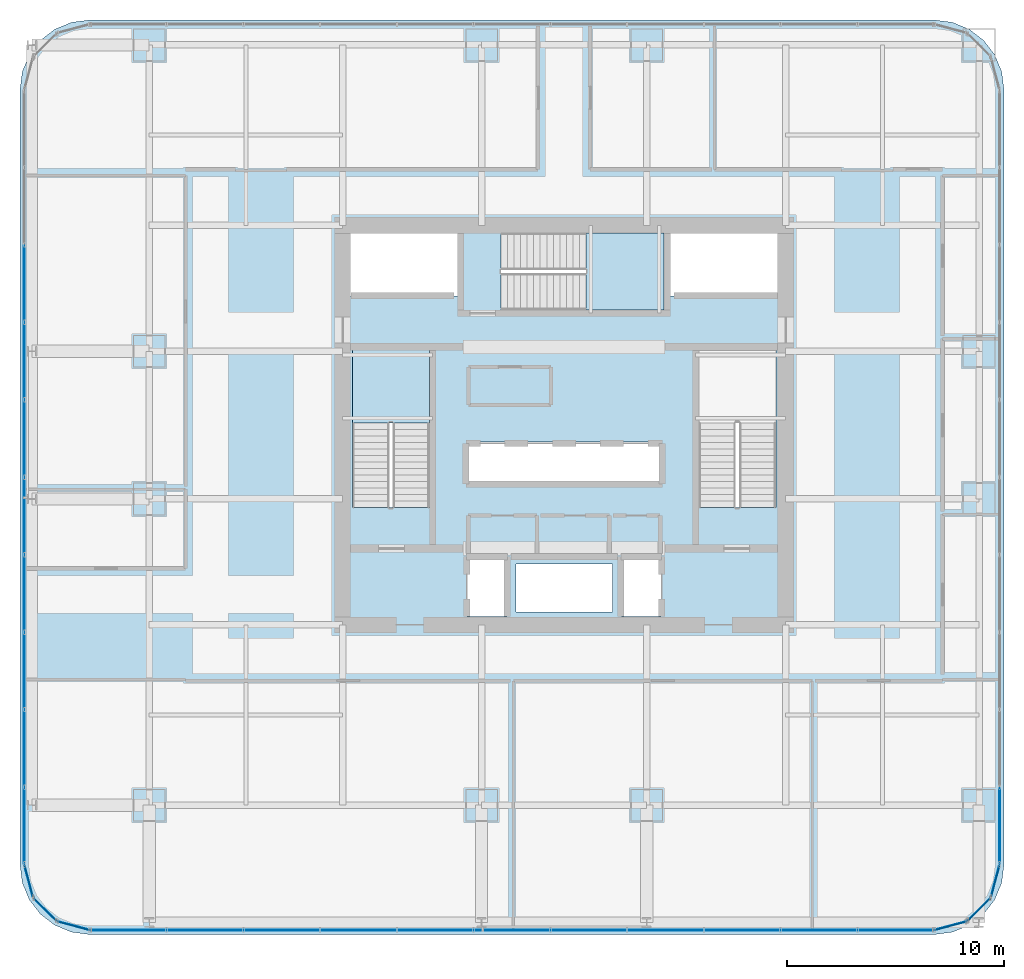
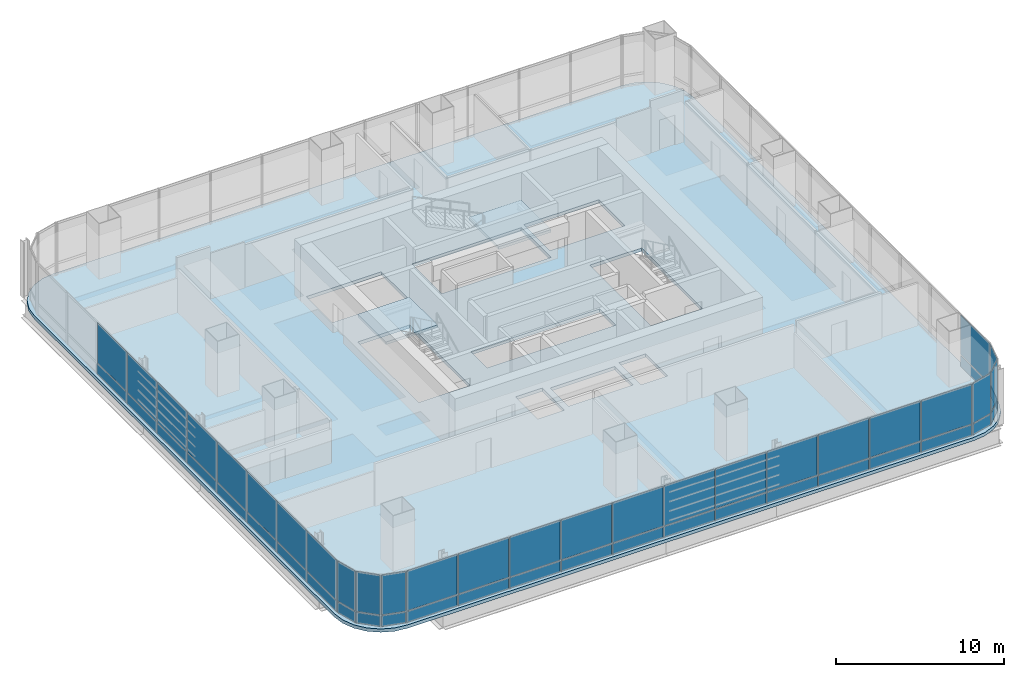
# One storey, part 26 of 36: 52 plates, 3 slabs, 11 elements without a shape of their own.
"""IFC4 building model written with IfcOpenShell, lengths in metres."""

from ifc_helpers import new_model, si_unit, direction, frame, origin, origin_2d, place, context, subcontext, project, spatial, polyline, rectangle, outline, extrude, material, layer, layer_set, type_object, element, aggregate, save


model = new_model("IFC4")

# Units and contexts
model_context = context("Model", 3, precision=1e-05, world=origin(), true_north=direction((0.0, 1.0)))
body_context = subcontext(model_context, "Body", "Model", "MODEL_VIEW")
ifc_project = project(units=[si_unit("LENGTHUNIT", "METRE"), si_unit("AREAUNIT", "SQUARE_METRE"), si_unit("VOLUMEUNIT", "CUBIC_METRE"), si_unit("PLANEANGLEUNIT", "RADIAN"), si_unit("MASSUNIT", "GRAM", prefix="KILO")], contexts=[model_context])

# Site, building, storey
site_placement = place(None, origin())
site = spatial("IfcSite", under=ifc_project, at=site_placement, CompositionType="ELEMENT")
building_placement = place(site_placement, origin())
building = spatial("IfcBuilding", under=site, at=building_placement, Name="Punatoya Terracotta Tower", CompositionType="ELEMENT")
storey_placement = place(building_placement, frame((0.0, 0.0, 32.25)))
storey = spatial("IfcBuildingStorey", under=building, at=storey_placement, Name="L06", CompositionType="ELEMENT", Elevation=32.25)

# Curtain wall, plates
ifc_material_1 = material(Name="Aluminium 6063-T6 + Double Low-E Glass", Category="aluminium")
curtain_wall_type = type_object("IfcCurtainWallType", Name="CW-M1", PredefinedType="NOTDEFINED", material=ifc_material_1)
curtain_wall_1_placement = place(storey_placement, origin())
curtain_wall_1 = element("IfcCurtainWall", 1, at=curtain_wall_1_placement, inside=storey, type_object=curtain_wall_type, Name="L06 Curtain Wall CW-L06-S01-1", PredefinedType="NOTDEFINED")
ifc_material_2 = material(Name="Double Low-E Clear Vision Glass", Category="glass")
ifc_layer_1 = layer(ifc_material_2, 0.028076171875)
ifc_layer_set_1 = layer_set([ifc_layer_1], Name="Double Low-E Clear Vision Glass")
plate_type_1 = type_object("IfcPlateType", Name="PLT-GLZ-28", PredefinedType="CURTAIN_PANEL", material=ifc_layer_set_1)
plate_1_placement = place(storey_placement, frame((-20.06982421875, -23.25, 0.89013671875), z_axis=(0.0, 0.0, 1.0), x_axis=(1.0, 0.0, 0.0)))
plate_1 = element("IfcPlate", 2, at=plate_1_placement, type_object=plate_type_1, Name="CW-L06-S01-1 Vision Glass Panel 1", PredefinedType="CURTAIN_PANEL", context=body_context, shape_type="SweptSolid", body=[
    extrude(rectangle(XDim=3.448974609375, YDim=0.028076171875, at=origin_2d()), origin(), (0.0, 0.0, 1.0), 2.8798828125),
])
plate_2_placement = place(storey_placement, frame((-16.535888671875, -23.25, 0.89013671875), z_axis=(0.0, 0.0, 1.0), x_axis=(1.0, 0.0, 0.0)))
plate_2 = element("IfcPlate", 3, at=plate_2_placement, type_object=plate_type_1, Name="CW-L06-S01-1 Vision Glass Panel 2", PredefinedType="CURTAIN_PANEL", context=body_context, shape_type="SweptSolid", body=[
    extrude(rectangle(XDim=3.448974609375, YDim=0.028076171875, at=origin_2d()), origin(), (0.0, 0.0, 1.0), 2.8798828125),
])
plate_3_placement = place(storey_placement, frame((-13.001953125, -23.25, 0.89013671875), z_axis=(0.0, 0.0, 1.0), x_axis=(1.0, 0.0, 0.0)))
plate_3 = element("IfcPlate", 4, at=plate_3_placement, type_object=plate_type_1, Name="CW-L06-S01-1 Vision Glass Panel 3", PredefinedType="CURTAIN_PANEL", context=body_context, shape_type="SweptSolid", body=[
    extrude(rectangle(XDim=3.448974609375, YDim=0.028076171875, at=origin_2d()), origin(), (0.0, 0.0, 1.0), 2.8798828125),
])
plate_4_placement = place(storey_placement, frame((-9.468017578125, -23.25, 0.89013671875), z_axis=(0.0, 0.0, 1.0), x_axis=(1.0, 0.0, 0.0)))
plate_4 = element("IfcPlate", 5, at=plate_4_placement, type_object=plate_type_1, Name="CW-L06-S01-1 Vision Glass Panel 4", PredefinedType="CURTAIN_PANEL", context=body_context, shape_type="SweptSolid", body=[
    extrude(rectangle(XDim=3.448974609375, YDim=0.028076171875, at=origin_2d()), origin(), (0.0, 0.0, 1.0), 2.8798828125),
])
plate_5_placement = place(storey_placement, frame((-5.93408203125, -23.25, 0.89013671875), z_axis=(0.0, 0.0, 1.0), x_axis=(1.0, 0.0, 0.0)))
plate_5 = element("IfcPlate", 6, at=plate_5_placement, type_object=plate_type_1, Name="CW-L06-S01-1 Vision Glass Panel 5", PredefinedType="CURTAIN_PANEL", context=body_context, shape_type="SweptSolid", body=[
    extrude(rectangle(XDim=3.448974609375, YDim=0.028076171875, at=origin_2d()), origin(), (0.0, 0.0, 1.0), 2.8798828125),
])
plate_6_placement = place(storey_placement, frame((-2.39990234375, -23.25, 0.89013671875), z_axis=(0.0, 0.0, 1.0), x_axis=(1.0, 0.0, 0.0)))
plate_6 = element("IfcPlate", 7, at=plate_6_placement, type_object=plate_type_1, Name="CW-L06-S01-1 Vision Glass Panel 6", PredefinedType="CURTAIN_PANEL", context=body_context, shape_type="SweptSolid", body=[
    extrude(rectangle(XDim=3.448974609375, YDim=0.028076171875, at=origin_2d()), origin(), (0.0, 0.0, 1.0), 2.8798828125),
])
plate_7_placement = place(storey_placement, frame((1.134033203125, -23.25, 0.89013671875), z_axis=(0.0, 0.0, 1.0), x_axis=(1.0, 0.0, 0.0)))
plate_7 = element("IfcPlate", 8, at=plate_7_placement, type_object=plate_type_1, Name="CW-L06-S01-1 Vision Glass Panel 7", PredefinedType="CURTAIN_PANEL", context=body_context, shape_type="SweptSolid", body=[
    extrude(rectangle(XDim=3.448974609375, YDim=0.028076171875, at=origin_2d()), origin(), (0.0, 0.0, 1.0), 2.8798828125),
])
plate_8_placement = place(storey_placement, frame((4.66796875, -23.25, 0.89013671875), z_axis=(0.0, 0.0, 1.0), x_axis=(1.0, 0.0, 0.0)))
plate_8 = element("IfcPlate", 9, at=plate_8_placement, type_object=plate_type_1, Name="CW-L06-S01-1 Vision Glass Panel 8", PredefinedType="CURTAIN_PANEL", context=body_context, shape_type="SweptSolid", body=[
    extrude(rectangle(XDim=3.448974609375, YDim=0.028076171875, at=origin_2d()), origin(), (0.0, 0.0, 1.0), 2.8798828125),
])
plate_9_placement = place(storey_placement, frame((8.201904296875, -23.25, 0.89013671875), z_axis=(0.0, 0.0, 1.0), x_axis=(1.0, 0.0, 0.0)))
plate_9 = element("IfcPlate", 10, at=plate_9_placement, type_object=plate_type_1, Name="CW-L06-S01-1 Vision Glass Panel 9", PredefinedType="CURTAIN_PANEL", context=body_context, shape_type="SweptSolid", body=[
    extrude(rectangle(XDim=3.448974609375, YDim=0.028076171875, at=origin_2d()), origin(), (0.0, 0.0, 1.0), 2.8798828125),
])
plate_10_placement = place(storey_placement, frame((11.73583984375, -23.25, 0.89013671875), z_axis=(0.0, 0.0, 1.0), x_axis=(1.0, 0.0, 0.0)))
plate_10 = element("IfcPlate", 11, at=plate_10_placement, type_object=plate_type_1, Name="CW-L06-S01-1 Vision Glass Panel 10", PredefinedType="CURTAIN_PANEL", context=body_context, shape_type="SweptSolid", body=[
    extrude(rectangle(XDim=3.448974609375, YDim=0.028076171875, at=origin_2d()), origin(), (0.0, 0.0, 1.0), 2.8798828125),
])
plate_11_placement = place(storey_placement, frame((15.27001953125, -23.25, 0.89013671875), z_axis=(0.0, 0.0, 1.0), x_axis=(1.0, 0.0, 0.0)))
plate_11 = element("IfcPlate", 12, at=plate_11_placement, type_object=plate_type_1, Name="CW-L06-S01-1 Vision Glass Panel 11", PredefinedType="CURTAIN_PANEL", context=body_context, shape_type="SweptSolid", body=[
    extrude(rectangle(XDim=3.448974609375, YDim=0.028076171875, at=origin_2d()), origin(), (0.0, 0.0, 1.0), 2.8798828125),
])

# Curtain wall, plate
curtain_wall_2_placement = place(storey_placement, origin())
curtain_wall_2 = element("IfcCurtainWall", 13, at=curtain_wall_2_placement, inside=storey, type_object=curtain_wall_type, Name="L06 Curtain Wall CW-L06-CRN02", PredefinedType="NOTDEFINED")
plate_12_placement = place(storey_placement, frame((17.79296875, -23.04833984375, 0.89013671875), z_axis=(0.0, 0.0, 1.0), x_axis=(0.966213877436, 0.257741620719, 0.0)))
plate_12 = element("IfcPlate", 14, at=plate_12_placement, type_object=plate_type_1, Name="CW-L06-CRN02 Vision Glass Panel 1", PredefinedType="CURTAIN_PANEL", context=body_context, shape_type="SweptSolid", body=[
    extrude(rectangle(XDim=1.47998046875, YDim=0.028076171875, at=origin_2d()), origin(), (0.0, 0.0, 1.0), 2.8798828125),
])

curtain_wall_3_placement = place(storey_placement, origin())
curtain_wall_3 = element("IfcCurtainWall", 15, at=curtain_wall_3_placement, inside=storey, type_object=curtain_wall_type, Name="L06 Curtain Wall CW-L06-CRN03", PredefinedType="NOTDEFINED")
plate_13_placement = place(storey_placement, frame((19.097900390625, -22.2978515625, 0.89013671875), z_axis=(0.0, 0.0, 1.0), x_axis=(0.707106781187, 0.707106781187, 0.0)))
plate_13 = element("IfcPlate", 16, at=plate_13_placement, type_object=plate_type_1, Name="CW-L06-CRN03 Vision Glass Panel 1", PredefinedType="CURTAIN_PANEL", context=body_context, shape_type="SweptSolid", body=[
    extrude(rectangle(XDim=1.467041015625, YDim=0.028076171875, at=origin_2d()), origin(), (0.0, 0.0, 1.0), 2.8798828125),
])

curtain_wall_4_placement = place(storey_placement, origin())
curtain_wall_4 = element("IfcCurtainWall", 17, at=curtain_wall_4_placement, inside=storey, type_object=curtain_wall_type, Name="L06 Curtain Wall CW-L06-CRN04", PredefinedType="NOTDEFINED")
plate_14_placement = place(storey_placement, frame((19.848388671875, -20.992919921875, 0.89013671875), z_axis=(0.0, 0.0, 1.0), x_axis=(0.257741620719, 0.966213877436, 0.0)))
plate_14 = element("IfcPlate", 18, at=plate_14_placement, type_object=plate_type_1, Name="CW-L06-CRN04 Vision Glass Panel 1", PredefinedType="CURTAIN_PANEL", context=body_context, shape_type="SweptSolid", body=[
    extrude(rectangle(XDim=1.47998046875, YDim=0.028076171875, at=origin_2d()), origin(), (0.0, 0.0, 1.0), 2.8798828125),
])

curtain_wall_5_placement = place(storey_placement, origin())
curtain_wall_5 = element("IfcCurtainWall", 19, at=curtain_wall_5_placement, inside=storey, type_object=curtain_wall_type, Name="L06 Curtain Wall CW-L06-E05-1", PredefinedType="NOTDEFINED")
plate_15_placement = place(storey_placement, frame((20.050048828125, -18.453125, 0.89013671875), z_axis=(0.0, 0.0, 1.0), x_axis=(0.0, 1.0, 0.0)))
plate_15 = element("IfcPlate", 20, at=plate_15_placement, type_object=plate_type_1, Name="CW-L06-E05-1 Vision Glass Panel 1", PredefinedType="CURTAIN_PANEL", context=body_context, shape_type="SweptSolid", body=[
    extrude(rectangle(XDim=3.482421875, YDim=0.028076171875, at=origin_2d()), origin(), (0.0, 0.0, 1.0), 2.8798828125),
])

# Curtain wall, plates
curtain_wall_6_placement = place(storey_placement, origin())
curtain_wall_6 = element("IfcCurtainWall", 21, at=curtain_wall_6_placement, inside=storey, type_object=curtain_wall_type, Name="L06 Curtain Wall CW-L06-W13-1", PredefinedType="NOTDEFINED")
plate_16_placement = place(storey_placement, frame((-24.85009765625, 6.518310546875, 0.89013671875), z_axis=(0.0, 0.0, 1.0), x_axis=(0.0, -1.0, 0.0)))
plate_16 = element("IfcPlate", 22, at=plate_16_placement, type_object=plate_type_1, Name="CW-L06-W13-1 Vision Glass Panel 3", PredefinedType="CURTAIN_PANEL", context=body_context, shape_type="SweptSolid", body=[
    extrude(rectangle(XDim=3.482421875, YDim=0.028076171875, at=origin_2d()), origin(), (0.0, 0.0, 1.0), 2.8798828125),
])
plate_17_placement = place(storey_placement, frame((-24.85009765625, 2.951171875, 0.89013671875), z_axis=(0.0, 0.0, 1.0), x_axis=(0.0, -1.0, 0.0)))
plate_17 = element("IfcPlate", 23, at=plate_17_placement, type_object=plate_type_1, Name="CW-L06-W13-1 Vision Glass Panel 4", PredefinedType="CURTAIN_PANEL", context=body_context, shape_type="SweptSolid", body=[
    extrude(rectangle(XDim=3.482421875, YDim=0.028076171875, at=origin_2d()), origin(), (0.0, 0.0, 1.0), 2.8798828125),
])
plate_18_placement = place(storey_placement, frame((-24.85009765625, -0.6162109375, 0.89013671875), z_axis=(0.0, 0.0, 1.0), x_axis=(0.0, -1.0, 0.0)))
plate_18 = element("IfcPlate", 24, at=plate_18_placement, type_object=plate_type_1, Name="CW-L06-W13-1 Vision Glass Panel 5", PredefinedType="CURTAIN_PANEL", context=body_context, shape_type="SweptSolid", body=[
    extrude(rectangle(XDim=3.482421875, YDim=0.028076171875, at=origin_2d()), origin(), (0.0, 0.0, 1.0), 2.8798828125),
])
plate_19_placement = place(storey_placement, frame((-24.85009765625, -4.18359375, 0.89013671875), z_axis=(0.0, 0.0, 1.0), x_axis=(0.0, -1.0, 0.0)))
plate_19 = element("IfcPlate", 25, at=plate_19_placement, type_object=plate_type_1, Name="CW-L06-W13-1 Vision Glass Panel 6", PredefinedType="CURTAIN_PANEL", context=body_context, shape_type="SweptSolid", body=[
    extrude(rectangle(XDim=3.482421875, YDim=0.028076171875, at=origin_2d()), origin(), (0.0, 0.0, 1.0), 2.8798828125),
])
plate_20_placement = place(storey_placement, frame((-24.85009765625, -7.751220703125, 0.89013671875), z_axis=(0.0, 0.0, 1.0), x_axis=(0.0, -1.0, 0.0)))
plate_20 = element("IfcPlate", 26, at=plate_20_placement, type_object=plate_type_1, Name="CW-L06-W13-1 Vision Glass Panel 7", PredefinedType="CURTAIN_PANEL", context=body_context, shape_type="SweptSolid", body=[
    extrude(rectangle(XDim=3.482421875, YDim=0.028076171875, at=origin_2d()), origin(), (0.0, 0.0, 1.0), 2.8798828125),
])
plate_21_placement = place(storey_placement, frame((-24.85009765625, -11.318359375, 0.89013671875), z_axis=(0.0, 0.0, 1.0), x_axis=(0.0, -1.0, 0.0)))
plate_21 = element("IfcPlate", 27, at=plate_21_placement, type_object=plate_type_1, Name="CW-L06-W13-1 Vision Glass Panel 8", PredefinedType="CURTAIN_PANEL", context=body_context, shape_type="SweptSolid", body=[
    extrude(rectangle(XDim=3.482421875, YDim=0.028076171875, at=origin_2d()), origin(), (0.0, 0.0, 1.0), 2.8798828125),
])
plate_22_placement = place(storey_placement, frame((-24.85009765625, -14.8857421875, 0.89013671875), z_axis=(0.0, 0.0, 1.0), x_axis=(0.0, -1.0, 0.0)))
plate_22 = element("IfcPlate", 28, at=plate_22_placement, type_object=plate_type_1, Name="CW-L06-W13-1 Vision Glass Panel 9", PredefinedType="CURTAIN_PANEL", context=body_context, shape_type="SweptSolid", body=[
    extrude(rectangle(XDim=3.482421875, YDim=0.028076171875, at=origin_2d()), origin(), (0.0, 0.0, 1.0), 2.8798828125),
])
plate_23_placement = place(storey_placement, frame((-24.85009765625, -18.453125, 0.89013671875), z_axis=(0.0, 0.0, 1.0), x_axis=(0.0, -1.0, 0.0)))
plate_23 = element("IfcPlate", 29, at=plate_23_placement, type_object=plate_type_1, Name="CW-L06-W13-1 Vision Glass Panel 10", PredefinedType="CURTAIN_PANEL", context=body_context, shape_type="SweptSolid", body=[
    extrude(rectangle(XDim=3.482421875, YDim=0.028076171875, at=origin_2d()), origin(), (0.0, 0.0, 1.0), 2.8798828125),
])

# Curtain wall, plate
curtain_wall_7_placement = place(storey_placement, origin())
curtain_wall_7 = element("IfcCurtainWall", 30, at=curtain_wall_7_placement, inside=storey, type_object=curtain_wall_type, Name="L06 Curtain Wall CW-L06-CRN14", PredefinedType="NOTDEFINED")
plate_24_placement = place(storey_placement, frame((-24.648193359375, -20.992919921875, 0.89013671875), z_axis=(0.0, 0.0, 1.0), x_axis=(0.257741620719, -0.966213877436, 0.0)))
plate_24 = element("IfcPlate", 31, at=plate_24_placement, type_object=plate_type_1, Name="CW-L06-CRN14 Vision Glass Panel 1", PredefinedType="CURTAIN_PANEL", context=body_context, shape_type="SweptSolid", body=[
    extrude(rectangle(XDim=1.47998046875, YDim=0.028076171875, at=origin_2d()), origin(), (0.0, 0.0, 1.0), 2.8798828125),
])

curtain_wall_8_placement = place(storey_placement, origin())
curtain_wall_8 = element("IfcCurtainWall", 32, at=curtain_wall_8_placement, inside=storey, type_object=curtain_wall_type, Name="L06 Curtain Wall CW-L06-CRN15", PredefinedType="NOTDEFINED")
plate_25_placement = place(storey_placement, frame((-23.89794921875, -22.2978515625, 0.89013671875), z_axis=(0.0, 0.0, 1.0), x_axis=(0.707106781187, -0.707106781187, 0.0)))
plate_25 = element("IfcPlate", 33, at=plate_25_placement, type_object=plate_type_1, Name="CW-L06-CRN15 Vision Glass Panel 1", PredefinedType="CURTAIN_PANEL", context=body_context, shape_type="SweptSolid", body=[
    extrude(rectangle(XDim=1.467041015625, YDim=0.028076171875, at=origin_2d()), origin(), (0.0, 0.0, 1.0), 2.8798828125),
])

curtain_wall_9_placement = place(storey_placement, origin())
curtain_wall_9 = element("IfcCurtainWall", 34, at=curtain_wall_9_placement, inside=storey, type_object=curtain_wall_type, Name="L06 Curtain Wall CW-L06-CRN16", PredefinedType="NOTDEFINED")
plate_26_placement = place(storey_placement, frame((-22.593017578125, -23.04833984375, 0.89013671875), z_axis=(0.0, 0.0, 1.0), x_axis=(0.966213877436, -0.257741620719, 0.0)))
plate_26 = element("IfcPlate", 35, at=plate_26_placement, type_object=plate_type_1, Name="CW-L06-CRN16 Vision Glass Panel 1", PredefinedType="CURTAIN_PANEL", context=body_context, shape_type="SweptSolid", body=[
    extrude(rectangle(XDim=1.47998046875, YDim=0.028076171875, at=origin_2d()), origin(), (0.0, 0.0, 1.0), 2.8798828125),
])

# Plate
ifc_material_3 = material(Name="Insulated Terracotta-Backed Spandrel Panel", Category="masonry")
ifc_layer_2 = layer(ifc_material_3, 0.044921875)
ifc_layer_set_2 = layer_set([ifc_layer_2], Name="Insulated Terracotta-Backed Spandrel Panel")
plate_type_2 = type_object("IfcPlateType", Name="PLT-SPN-45", PredefinedType="CURTAIN_PANEL", material=ifc_layer_set_2)
plate_27_placement = place(storey_placement, frame((-20.06982421875, -23.25, 0.0400390625), z_axis=(0.0, 0.0, 1.0), x_axis=(1.0, 0.0, 0.0)))
plate_27 = element("IfcPlate", 36, at=plate_27_placement, type_object=plate_type_2, Name="CW-L06-S01-1 Terracotta Spandrel Panel 1", PredefinedType="CURTAIN_PANEL", context=body_context, shape_type="SweptSolid", body=[
    extrude(rectangle(XDim=3.448974609375, YDim=0.044921875, at=origin_2d()), origin(), (0.0, 0.0, 1.0), 0.77490234375),
])

plate_28_placement = place(storey_placement, frame((-16.535888671875, -23.25, 0.0400390625), z_axis=(0.0, 0.0, 1.0), x_axis=(1.0, 0.0, 0.0)))
plate_28 = element("IfcPlate", 37, at=plate_28_placement, type_object=plate_type_2, Name="CW-L06-S01-1 Terracotta Spandrel Panel 2", PredefinedType="CURTAIN_PANEL", context=body_context, shape_type="SweptSolid", body=[
    extrude(rectangle(XDim=3.448974609375, YDim=0.044921875, at=origin_2d()), origin(), (0.0, 0.0, 1.0), 0.77490234375),
])

plate_29_placement = place(storey_placement, frame((-13.001953125, -23.25, 0.0400390625), z_axis=(0.0, 0.0, 1.0), x_axis=(1.0, 0.0, 0.0)))
plate_29 = element("IfcPlate", 38, at=plate_29_placement, type_object=plate_type_2, Name="CW-L06-S01-1 Terracotta Spandrel Panel 3", PredefinedType="CURTAIN_PANEL", context=body_context, shape_type="SweptSolid", body=[
    extrude(rectangle(XDim=3.448974609375, YDim=0.044921875, at=origin_2d()), origin(), (0.0, 0.0, 1.0), 0.77490234375),
])

plate_30_placement = place(storey_placement, frame((-9.468017578125, -23.25, 0.0400390625), z_axis=(0.0, 0.0, 1.0), x_axis=(1.0, 0.0, 0.0)))
plate_30 = element("IfcPlate", 39, at=plate_30_placement, type_object=plate_type_2, Name="CW-L06-S01-1 Terracotta Spandrel Panel 4", PredefinedType="CURTAIN_PANEL", context=body_context, shape_type="SweptSolid", body=[
    extrude(rectangle(XDim=3.448974609375, YDim=0.044921875, at=origin_2d()), origin(), (0.0, 0.0, 1.0), 0.77490234375),
])

plate_31_placement = place(storey_placement, frame((-5.93408203125, -23.25, 0.0400390625), z_axis=(0.0, 0.0, 1.0), x_axis=(1.0, 0.0, 0.0)))
plate_31 = element("IfcPlate", 40, at=plate_31_placement, type_object=plate_type_2, Name="CW-L06-S01-1 Terracotta Spandrel Panel 5", PredefinedType="CURTAIN_PANEL", context=body_context, shape_type="SweptSolid", body=[
    extrude(rectangle(XDim=3.448974609375, YDim=0.044921875, at=origin_2d()), origin(), (0.0, 0.0, 1.0), 0.77490234375),
])

plate_32_placement = place(storey_placement, frame((-2.39990234375, -23.25, 0.0400390625), z_axis=(0.0, 0.0, 1.0), x_axis=(1.0, 0.0, 0.0)))
plate_32 = element("IfcPlate", 41, at=plate_32_placement, type_object=plate_type_2, Name="CW-L06-S01-1 Terracotta Spandrel Panel 6", PredefinedType="CURTAIN_PANEL", context=body_context, shape_type="SweptSolid", body=[
    extrude(rectangle(XDim=3.448974609375, YDim=0.044921875, at=origin_2d()), origin(), (0.0, 0.0, 1.0), 0.77490234375),
])

plate_33_placement = place(storey_placement, frame((1.134033203125, -23.25, 0.0400390625), z_axis=(0.0, 0.0, 1.0), x_axis=(1.0, 0.0, 0.0)))
plate_33 = element("IfcPlate", 42, at=plate_33_placement, type_object=plate_type_2, Name="CW-L06-S01-1 Terracotta Spandrel Panel 7", PredefinedType="CURTAIN_PANEL", context=body_context, shape_type="SweptSolid", body=[
    extrude(rectangle(XDim=3.448974609375, YDim=0.044921875, at=origin_2d()), origin(), (0.0, 0.0, 1.0), 0.77490234375),
])

plate_34_placement = place(storey_placement, frame((4.66796875, -23.25, 0.0400390625), z_axis=(0.0, 0.0, 1.0), x_axis=(1.0, 0.0, 0.0)))
plate_34 = element("IfcPlate", 43, at=plate_34_placement, type_object=plate_type_2, Name="CW-L06-S01-1 Terracotta Spandrel Panel 8", PredefinedType="CURTAIN_PANEL", context=body_context, shape_type="SweptSolid", body=[
    extrude(rectangle(XDim=3.448974609375, YDim=0.044921875, at=origin_2d()), origin(), (0.0, 0.0, 1.0), 0.77490234375),
])

plate_35_placement = place(storey_placement, frame((8.201904296875, -23.25, 0.0400390625), z_axis=(0.0, 0.0, 1.0), x_axis=(1.0, 0.0, 0.0)))
plate_35 = element("IfcPlate", 44, at=plate_35_placement, type_object=plate_type_2, Name="CW-L06-S01-1 Terracotta Spandrel Panel 9", PredefinedType="CURTAIN_PANEL", context=body_context, shape_type="SweptSolid", body=[
    extrude(rectangle(XDim=3.448974609375, YDim=0.044921875, at=origin_2d()), origin(), (0.0, 0.0, 1.0), 0.77490234375),
])

plate_36_placement = place(storey_placement, frame((11.73583984375, -23.25, 0.0400390625), z_axis=(0.0, 0.0, 1.0), x_axis=(1.0, 0.0, 0.0)))
plate_36 = element("IfcPlate", 45, at=plate_36_placement, type_object=plate_type_2, Name="CW-L06-S01-1 Terracotta Spandrel Panel 10", PredefinedType="CURTAIN_PANEL", context=body_context, shape_type="SweptSolid", body=[
    extrude(rectangle(XDim=3.448974609375, YDim=0.044921875, at=origin_2d()), origin(), (0.0, 0.0, 1.0), 0.77490234375),
])

plate_37_placement = place(storey_placement, frame((15.27001953125, -23.25, 0.0400390625), z_axis=(0.0, 0.0, 1.0), x_axis=(1.0, 0.0, 0.0)))
plate_37 = element("IfcPlate", 46, at=plate_37_placement, type_object=plate_type_2, Name="CW-L06-S01-1 Terracotta Spandrel Panel 11", PredefinedType="CURTAIN_PANEL", context=body_context, shape_type="SweptSolid", body=[
    extrude(rectangle(XDim=3.448974609375, YDim=0.044921875, at=origin_2d()), origin(), (0.0, 0.0, 1.0), 0.77490234375),
])

aggregate(curtain_wall_1, [plate_27, plate_1, plate_28, plate_2, plate_29, plate_3, plate_30, plate_4, plate_31, plate_5, plate_32, plate_6, plate_33, plate_7, plate_34, plate_8, plate_35, plate_9, plate_36, plate_10, plate_37, plate_11])

plate_38_placement = place(storey_placement, frame((17.79296875, -23.04833984375, 0.0400390625), z_axis=(0.0, 0.0, 1.0), x_axis=(0.966213877436, 0.257741620719, 0.0)))
plate_38 = element("IfcPlate", 47, at=plate_38_placement, type_object=plate_type_2, Name="CW-L06-CRN02 Terracotta Spandrel Panel 1", PredefinedType="CURTAIN_PANEL", context=body_context, shape_type="SweptSolid", body=[
    extrude(rectangle(XDim=1.47998046875, YDim=0.044921875, at=origin_2d()), origin(), (0.0, 0.0, 1.0), 0.77490234375),
])

aggregate(curtain_wall_2, [plate_38, plate_12])

plate_39_placement = place(storey_placement, frame((19.097900390625, -22.2978515625, 0.0400390625), z_axis=(0.0, 0.0, 1.0), x_axis=(0.707106781187, 0.707106781187, 0.0)))
plate_39 = element("IfcPlate", 48, at=plate_39_placement, type_object=plate_type_2, Name="CW-L06-CRN03 Terracotta Spandrel Panel 1", PredefinedType="CURTAIN_PANEL", context=body_context, shape_type="SweptSolid", body=[
    extrude(rectangle(XDim=1.467041015625, YDim=0.044921875, at=origin_2d()), origin(), (0.0, 0.0, 1.0), 0.77490234375),
])

aggregate(curtain_wall_3, [plate_39, plate_13])

plate_40_placement = place(storey_placement, frame((19.848388671875, -20.992919921875, 0.0400390625), z_axis=(0.0, 0.0, 1.0), x_axis=(0.257741620719, 0.966213877436, 0.0)))
plate_40 = element("IfcPlate", 49, at=plate_40_placement, type_object=plate_type_2, Name="CW-L06-CRN04 Terracotta Spandrel Panel 1", PredefinedType="CURTAIN_PANEL", context=body_context, shape_type="SweptSolid", body=[
    extrude(rectangle(XDim=1.47998046875, YDim=0.044921875, at=origin_2d()), origin(), (0.0, 0.0, 1.0), 0.77490234375),
])

aggregate(curtain_wall_4, [plate_40, plate_14])

plate_41_placement = place(storey_placement, frame((20.050048828125, -18.453125, 0.0400390625), z_axis=(0.0, 0.0, 1.0), x_axis=(0.0, 1.0, 0.0)))
plate_41 = element("IfcPlate", 50, at=plate_41_placement, type_object=plate_type_2, Name="CW-L06-E05-1 Terracotta Spandrel Panel 1", PredefinedType="CURTAIN_PANEL", context=body_context, shape_type="SweptSolid", body=[
    extrude(rectangle(XDim=3.482421875, YDim=0.044921875, at=origin_2d()), origin(), (0.0, 0.0, 1.0), 0.77490234375),
])

aggregate(curtain_wall_5, [plate_41, plate_15])

plate_42_placement = place(storey_placement, frame((-24.85009765625, 6.518310546875, 0.0400390625), z_axis=(0.0, 0.0, 1.0), x_axis=(0.0, -1.0, 0.0)))
plate_42 = element("IfcPlate", 51, at=plate_42_placement, type_object=plate_type_2, Name="CW-L06-W13-1 Terracotta Spandrel Panel 3", PredefinedType="CURTAIN_PANEL", context=body_context, shape_type="SweptSolid", body=[
    extrude(rectangle(XDim=3.482421875, YDim=0.044921875, at=origin_2d()), origin(), (0.0, 0.0, 1.0), 0.77490234375),
])

plate_43_placement = place(storey_placement, frame((-24.85009765625, 2.951171875, 0.0400390625), z_axis=(0.0, 0.0, 1.0), x_axis=(0.0, -1.0, 0.0)))
plate_43 = element("IfcPlate", 52, at=plate_43_placement, type_object=plate_type_2, Name="CW-L06-W13-1 Terracotta Spandrel Panel 4", PredefinedType="CURTAIN_PANEL", context=body_context, shape_type="SweptSolid", body=[
    extrude(rectangle(XDim=3.482421875, YDim=0.044921875, at=origin_2d()), origin(), (0.0, 0.0, 1.0), 0.77490234375),
])

plate_44_placement = place(storey_placement, frame((-24.85009765625, -0.6162109375, 0.0400390625), z_axis=(0.0, 0.0, 1.0), x_axis=(0.0, -1.0, 0.0)))
plate_44 = element("IfcPlate", 53, at=plate_44_placement, type_object=plate_type_2, Name="CW-L06-W13-1 Terracotta Spandrel Panel 5", PredefinedType="CURTAIN_PANEL", context=body_context, shape_type="SweptSolid", body=[
    extrude(rectangle(XDim=3.482421875, YDim=0.044921875, at=origin_2d()), origin(), (0.0, 0.0, 1.0), 0.77490234375),
])

plate_45_placement = place(storey_placement, frame((-24.85009765625, -4.18359375, 0.0400390625), z_axis=(0.0, 0.0, 1.0), x_axis=(0.0, -1.0, 0.0)))
plate_45 = element("IfcPlate", 54, at=plate_45_placement, type_object=plate_type_2, Name="CW-L06-W13-1 Terracotta Spandrel Panel 6", PredefinedType="CURTAIN_PANEL", context=body_context, shape_type="SweptSolid", body=[
    extrude(rectangle(XDim=3.482421875, YDim=0.044921875, at=origin_2d()), origin(), (0.0, 0.0, 1.0), 0.77490234375),
])

plate_46_placement = place(storey_placement, frame((-24.85009765625, -7.751220703125, 0.0400390625), z_axis=(0.0, 0.0, 1.0), x_axis=(0.0, -1.0, 0.0)))
plate_46 = element("IfcPlate", 55, at=plate_46_placement, type_object=plate_type_2, Name="CW-L06-W13-1 Terracotta Spandrel Panel 7", PredefinedType="CURTAIN_PANEL", context=body_context, shape_type="SweptSolid", body=[
    extrude(rectangle(XDim=3.482421875, YDim=0.044921875, at=origin_2d()), origin(), (0.0, 0.0, 1.0), 0.77490234375),
])

plate_47_placement = place(storey_placement, frame((-24.85009765625, -11.318359375, 0.0400390625), z_axis=(0.0, 0.0, 1.0), x_axis=(0.0, -1.0, 0.0)))
plate_47 = element("IfcPlate", 56, at=plate_47_placement, type_object=plate_type_2, Name="CW-L06-W13-1 Terracotta Spandrel Panel 8", PredefinedType="CURTAIN_PANEL", context=body_context, shape_type="SweptSolid", body=[
    extrude(rectangle(XDim=3.482421875, YDim=0.044921875, at=origin_2d()), origin(), (0.0, 0.0, 1.0), 0.77490234375),
])

plate_48_placement = place(storey_placement, frame((-24.85009765625, -14.8857421875, 0.0400390625), z_axis=(0.0, 0.0, 1.0), x_axis=(0.0, -1.0, 0.0)))
plate_48 = element("IfcPlate", 57, at=plate_48_placement, type_object=plate_type_2, Name="CW-L06-W13-1 Terracotta Spandrel Panel 9", PredefinedType="CURTAIN_PANEL", context=body_context, shape_type="SweptSolid", body=[
    extrude(rectangle(XDim=3.482421875, YDim=0.044921875, at=origin_2d()), origin(), (0.0, 0.0, 1.0), 0.77490234375),
])

plate_49_placement = place(storey_placement, frame((-24.85009765625, -18.453125, 0.0400390625), z_axis=(0.0, 0.0, 1.0), x_axis=(0.0, -1.0, 0.0)))
plate_49 = element("IfcPlate", 58, at=plate_49_placement, type_object=plate_type_2, Name="CW-L06-W13-1 Terracotta Spandrel Panel 10", PredefinedType="CURTAIN_PANEL", context=body_context, shape_type="SweptSolid", body=[
    extrude(rectangle(XDim=3.482421875, YDim=0.044921875, at=origin_2d()), origin(), (0.0, 0.0, 1.0), 0.77490234375),
])

aggregate(curtain_wall_6, [plate_42, plate_16, plate_43, plate_17, plate_44, plate_18, plate_45, plate_19, plate_46, plate_20, plate_47, plate_21, plate_48, plate_22, plate_49, plate_23])

plate_50_placement = place(storey_placement, frame((-24.648193359375, -20.992919921875, 0.0400390625), z_axis=(0.0, 0.0, 1.0), x_axis=(0.257741620719, -0.966213877436, 0.0)))
plate_50 = element("IfcPlate", 59, at=plate_50_placement, type_object=plate_type_2, Name="CW-L06-CRN14 Terracotta Spandrel Panel 1", PredefinedType="CURTAIN_PANEL", context=body_context, shape_type="SweptSolid", body=[
    extrude(rectangle(XDim=1.47998046875, YDim=0.044921875, at=origin_2d()), origin(), (0.0, 0.0, 1.0), 0.77490234375),
])

aggregate(curtain_wall_7, [plate_50, plate_24])

plate_51_placement = place(storey_placement, frame((-23.89794921875, -22.2978515625, 0.0400390625), z_axis=(0.0, 0.0, 1.0), x_axis=(0.707106781187, -0.707106781187, 0.0)))
plate_51 = element("IfcPlate", 60, at=plate_51_placement, type_object=plate_type_2, Name="CW-L06-CRN15 Terracotta Spandrel Panel 1", PredefinedType="CURTAIN_PANEL", context=body_context, shape_type="SweptSolid", body=[
    extrude(rectangle(XDim=1.467041015625, YDim=0.044921875, at=origin_2d()), origin(), (0.0, 0.0, 1.0), 0.77490234375),
])

aggregate(curtain_wall_8, [plate_51, plate_25])

plate_52_placement = place(storey_placement, frame((-22.593017578125, -23.04833984375, 0.0400390625), z_axis=(0.0, 0.0, 1.0), x_axis=(0.966213877436, -0.257741620719, 0.0)))
plate_52 = element("IfcPlate", 61, at=plate_52_placement, type_object=plate_type_2, Name="CW-L06-CRN16 Terracotta Spandrel Panel 1", PredefinedType="CURTAIN_PANEL", context=body_context, shape_type="SweptSolid", body=[
    extrude(rectangle(XDim=1.47998046875, YDim=0.044921875, at=origin_2d()), origin(), (0.0, 0.0, 1.0), 0.77490234375),
])

aggregate(curtain_wall_9, [plate_52, plate_26])

# Stair, slab
ifc_material_4 = material(Name="Concrete C40/50", Category="concrete")
stair_type_1 = type_object("IfcStairType", Name="STR-TER-1450", PredefinedType="HALF_TURN_STAIR", material=ifc_material_4)
stair_1_placement = place(storey_placement, origin())
stair_1 = element("IfcStair", 62, at=stair_1_placement, inside=storey, type_object=stair_type_1, Name="L06 Protected Core Exit Stair ST-3", PredefinedType="HALF_TURN_STAIR")
ifc_layer_3 = layer(ifc_material_4, 0.1650390625)
ifc_layer_set_3 = layer_set([ifc_layer_3], Name="Concrete C40/50")
slab_type_1 = type_object("IfcSlabType", Name="SLB-LND-165", PredefinedType="LANDING", material=ifc_layer_set_3)
slab_1_placement = place(storey_placement, frame((0.0, 0.0, 1.824951171875)))
slab_1 = element("IfcSlab", 63, at=slab_1_placement, type_object=slab_type_1, Name="ST-3 landing 1", PredefinedType="LANDING", context=body_context, shape_type="SweptSolid", body=[
    extrude(outline(polyline([(1.0, 5.300048828125), (4.60009765625, 5.300048828125), (4.60009765625, 8.85009765625), (1.0, 8.85009765625), (1.0, 5.300048828125)])), origin(), (0.0, 0.0, 1.0), 0.199951171875),
])
aggregate(stair_1, [slab_1])

stair_type_2 = type_object("IfcStairType", Name="STR-CORE-1550", PredefinedType="HALF_TURN_STAIR", material=ifc_material_4)
stair_2_placement = place(storey_placement, origin())
stair_2 = element("IfcStair", 64, at=stair_2_placement, inside=storey, type_object=stair_type_2, Name="L06 Protected Core Exit Stair ST-1", PredefinedType="HALF_TURN_STAIR")
ifc_layer_4 = layer(ifc_material_4, 0.179931640625)
ifc_layer_set_4 = layer_set([ifc_layer_4], Name="Concrete C40/50")
slab_type_2 = type_object("IfcSlabType", Name="SLB-LND-180", PredefinedType="LANDING", material=ifc_layer_set_4)
slab_2_placement = place(storey_placement, frame((0.0, 0.0, 1.824951171875)))
slab_2 = element("IfcSlab", 65, at=slab_2_placement, type_object=slab_type_2, Name="ST-1 landing 1", PredefinedType="LANDING", context=body_context, shape_type="SweptSolid", body=[
    extrude(outline(polyline([(-6.199951171875, 0.10009765625), (-6.199951171875, 3.449951171875), (-9.75, 3.449951171875), (-9.75, 0.10009765625), (-6.199951171875, 0.10009765625)])), origin(), (0.0, 0.0, 1.0), 0.199951171875),
])
aggregate(stair_2, [slab_2])

# Slab
ifc_layer_5 = layer(ifc_material_4, 0.239990234375)
ifc_layer_set_5 = layer_set([ifc_layer_5], Name="Concrete C40/50")
slab_type_3 = type_object("IfcSlabType", Name="SLB-OFF-240", PredefinedType="FLOOR", material=ifc_layer_set_5)
slab_3_placement = place(storey_placement, frame((0.0, 0.0, -0.239990234375)))
element("IfcSlab", 66, at=slab_3_placement, inside=storey, type_object=slab_type_3, Name="L06 Structural Floor Slab", PredefinedType="FLOOR", context=body_context, shape_type="SweptSolid", body=[
    extrude(outline(polyline([(-21.85009765625, -23.449951171875), (-22.67822265625, -23.341064453125), (-23.449951171875, -23.021240234375), (-24.11279296875, -22.5126953125), (-24.621337890625, -21.85009765625), (-24.94091796875, -21.078125), (-25.050048828125, -20.25), (-25.050048828125, 15.449951171875), (-24.94091796875, 16.2783203125), (-24.621337890625, 17.050048828125), (-24.11279296875, 17.712646484375), (-23.449951171875, 18.22119140625), (-22.67822265625, 18.541015625), (-21.85009765625, 18.64990234375), (17.050048828125, 18.64990234375), (17.878173828125, 18.541015625), (18.64990234375, 18.22119140625), (19.312744140625, 17.712646484375), (19.8212890625, 17.050048828125), (20.14111328125, 16.2783203125), (20.25, 15.449951171875), (20.25, -20.25), (20.14111328125, -21.078125), (19.8212890625, -21.85009765625), (19.312744140625, -22.5126953125), (18.64990234375, -23.021240234375), (17.878173828125, -23.341064453125), (17.050048828125, -23.449951171875), (-21.85009765625, -23.449951171875)]), holes=[polyline([(-2.6298828125, -6.179931640625), (-4.469970703125, -6.179931640625), (-4.469970703125, -8.820068359375), (-2.6298828125, -8.820068359375), (-2.6298828125, -6.179931640625)]), polyline([(0.02001953125, -8.594970703125), (2.219970703125, -8.594970703125), (2.219970703125, -6.405029296875), (0.02001953125, -6.405029296875), (-0.02001953125, -6.405029296875), (-2.219970703125, -6.405029296875), (-2.219970703125, -8.594970703125), (-0.02001953125, -8.594970703125), (0.02001953125, -8.594970703125)]), polyline([(-2.219970703125, -2.719970703125), (-2.179931640625, -2.719970703125), (-0.02001953125, -2.719970703125), (0.02001953125, -2.719970703125), (2.179931640625, -2.719970703125), (2.219970703125, -2.719970703125), (4.419921875, -2.719970703125), (4.419921875, -0.780029296875), (2.219970703125, -0.780029296875), (2.179931640625, -0.780029296875), (0.02001953125, -0.780029296875), (-0.02001953125, -0.780029296875), (-2.179931640625, -0.780029296875), (-2.219970703125, -0.780029296875), (-4.419921875, -0.780029296875), (-4.419921875, -2.719970703125), (-2.219970703125, -2.719970703125)]), polyline([(-6.199951171875, 3.449951171875), (-9.75, 3.449951171875), (-9.75, -3.79931640625), (-6.199951171875, -3.79931640625), (-6.199951171875, 3.449951171875)]), polyline([(4.60009765625, 5.300048828125), (4.60009765625, 8.85009765625), (-2.899169921875, 8.85009765625), (-2.899169921875, 5.300048828125), (4.60009765625, 5.300048828125)]), polyline([(-4.89990234375, 9.050048828125), (-10.050048828125, 9.050048828125), (-10.050048828125, 5.949951171875), (-4.89990234375, 5.949951171875), (-4.89990234375, 9.050048828125)]), polyline([(4.469970703125, -8.820068359375), (4.469970703125, -6.179931640625), (2.6298828125, -6.179931640625), (2.6298828125, -8.820068359375), (4.469970703125, -8.820068359375)]), polyline([(9.75, 3.449951171875), (6.199951171875, 3.449951171875), (6.199951171875, -3.79931640625), (9.75, -3.79931640625), (9.75, 3.449951171875)]), polyline([(10.050048828125, 5.949951171875), (10.050048828125, 9.050048828125), (4.89990234375, 9.050048828125), (4.89990234375, 5.949951171875), (10.050048828125, 5.949951171875)])]), origin(), (0.0, 0.0, 1.0), 0.239990234375),
])

save(model, "model.ifc")
